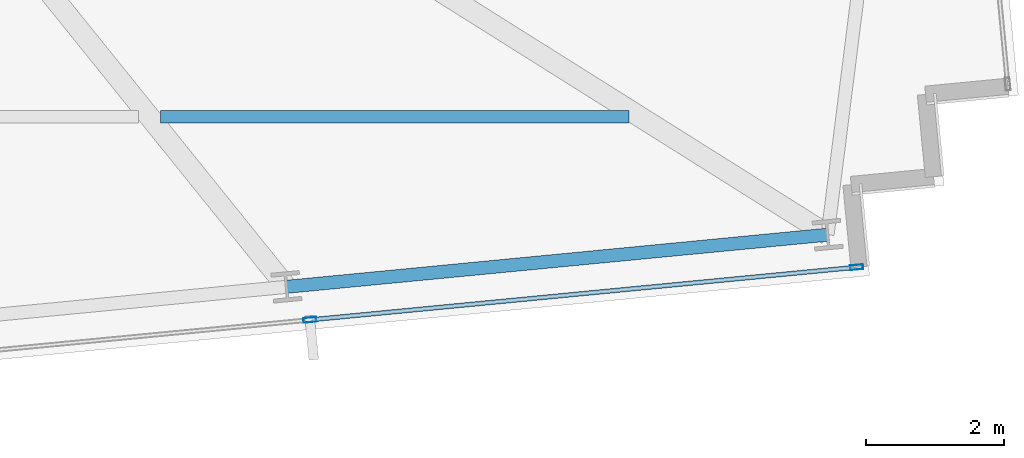
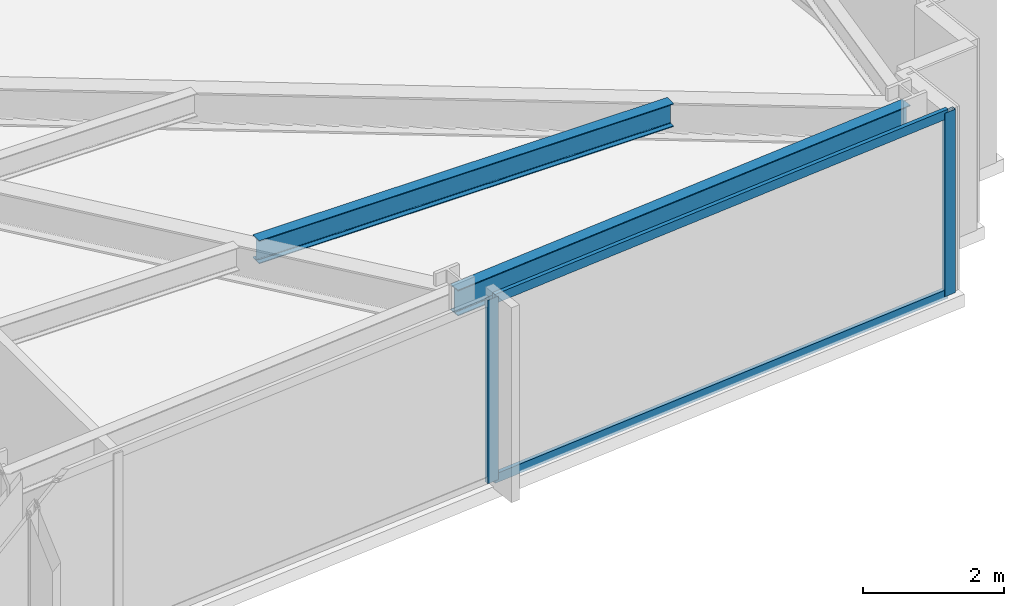
# One storey, part 12 of 32: 4 members, 2 beams, 1 element without a shape of its own.
"""IFC4 building model written with IfcOpenShell, lengths in metres."""

from ifc_helpers import new_model, si_unit, direction, frame, origin, origin_2d, place, context, subcontext, project, spatial, hollow_rectangle, i_section, extrude, material, material_profile, profile_set, type_object, element, aggregate, save


model = new_model("IFC4")

# Units and contexts
model_context = context("Model", 3, precision=1e-05, world=origin(), true_north=direction((0.0, 1.0)))
body_context = subcontext(model_context, "Body", "Model", "MODEL_VIEW")
ifc_project = project(units=[si_unit("LENGTHUNIT", "METRE"), si_unit("AREAUNIT", "SQUARE_METRE"), si_unit("VOLUMEUNIT", "CUBIC_METRE"), si_unit("PLANEANGLEUNIT", "RADIAN"), si_unit("MASSUNIT", "GRAM", prefix="KILO")], contexts=[model_context])

# Site, building, storey
site_placement = place(None, origin())
site = spatial("IfcSite", under=ifc_project, at=site_placement, CompositionType="ELEMENT")
building_placement = place(site_placement, origin())
building = spatial("IfcBuilding", under=site, at=building_placement, Name="Yelkora Congress Tower", CompositionType="ELEMENT")
storey_placement = place(building_placement, frame((0.0, 0.0, 130.5)))
storey = spatial("IfcBuildingStorey", under=building, at=storey_placement, Name="L35", CompositionType="ELEMENT", Elevation=130.5)

# Beams
ifc_material_1 = material(Name="Steel S355J2", Category="steel")
ifc_material_profile_1 = material_profile(ifc_material_1, i_section(OverallWidth=0.179931640625, OverallDepth=0.39990234375, WebThickness=0.008544921875, FlangeThickness=0.013427734375, FilletRadius=0.02099609375, at=origin_2d()), Name="IPE 400")
ifc_profile_set_1 = profile_set([ifc_material_profile_1], Name="Steel S355J2")
beam_type_1 = type_object("IfcBeamType", Name="BM-JOIST-IPE400", PredefinedType="JOIST", material=ifc_profile_set_1)
beam_1_placement = place(storey_placement, frame((65.056396484375, 16.144287109375, 2.97998046875), z_axis=(1.0, 0.0, 0.0), x_axis=(0.0, 1.0, 0.0)))
element("IfcBeam", 1, at=beam_1_placement, inside=storey, type_object=beam_type_1, Name="L35 Composite Floor Joist 10", PredefinedType="JOIST", context=body_context, shape_type="SweptSolid", body=[
    extrude(i_section(OverallWidth=0.179931640625, OverallDepth=0.39990234375, WebThickness=0.008544921875, FlangeThickness=0.013427734375, FilletRadius=0.02099609375, at=origin_2d()), origin(), (0.0, 0.0, 1.0), 6.795166015625),
])
ifc_material_profile_2 = material_profile(ifc_material_1, i_section(OverallWidth=0.18994140625, OverallDepth=0.449951171875, WebThickness=0.009521484375, FlangeThickness=0.0146484375, FilletRadius=0.02099609375, at=origin_2d()), Name="IPE 450")
ifc_profile_set_2 = profile_set([ifc_material_profile_2], Name="Steel S355J2")
beam_type_2 = type_object("IfcBeamType", Name="BM-SPAN-IPE450", PredefinedType="SPANDREL", material=ifc_profile_set_2)
beam_2_placement = place(storey_placement, frame((66.882568359375, 13.67919921875, 2.955078125), z_axis=(0.995395575667, 0.095852219286, 0.0), x_axis=(-0.095852219286, 0.995395575667, 0.0)))
element("IfcBeam", 2, at=beam_2_placement, inside=storey, type_object=beam_type_2, Name="L35 Perimeter Beam 9", PredefinedType="SPANDREL", context=body_context, shape_type="SweptSolid", body=[
    extrude(i_section(OverallWidth=0.18994140625, OverallDepth=0.449951171875, WebThickness=0.009521484375, FlangeThickness=0.0146484375, FilletRadius=0.02099609375, at=origin_2d()), origin(), (0.0, 0.0, 1.0), 7.8857421875),
])

# Curtain wall, members
ifc_material_2 = material(Name="Anodised aluminium and insulated glass", Category="aluminium")
curtain_wall_type = type_object("IfcCurtainWallType", Name="CW-SYS-B2", PredefinedType="NOTDEFINED", material=ifc_material_2)
curtain_wall_placement = place(storey_placement, origin())
curtain_wall = element("IfcCurtainWall", 3, at=curtain_wall_placement, inside=storey, type_object=curtain_wall_type, Name="L35 Unitised Curtain Wall 20", PredefinedType="NOTDEFINED")
ifc_material_3 = material(Name="Anodised aluminium 6063-T6", Category="aluminium")
ifc_material_profile_3 = material_profile(ifc_material_3, hollow_rectangle(XDim=0.070068359375, YDim=0.18994140625, WallThickness=0.00390625, at=origin_2d()), Name="ALU 70x190x4")
ifc_profile_set_3 = profile_set([ifc_material_profile_3], Name="Anodised aluminium 6063-T6")
member_type_1 = type_object("IfcMemberType", Name="MEM-ML-B2", PredefinedType="MULLION", material=ifc_profile_set_3)
member_1_placement = place(storey_placement, frame((75.154052734375, 13.96337890625, 0.0), z_axis=(0.0, 0.0, 1.0), x_axis=(0.095844345816, -0.995396333816, 0.0)))
member_1 = element("IfcMember", 4, at=member_1_placement, type_object=member_type_1, Name="CW-B2 mullion 1", PredefinedType="MULLION", context=body_context, shape_type="SweptSolid", body=[
    extrude(hollow_rectangle(XDim=0.070068359375, YDim=0.18994140625, WallThickness=0.00390625, at=origin_2d()), origin(), (0.0, 0.0, 1.0), 3.179931640625),
])
member_2_placement = place(storey_placement, frame((67.222900390625, 13.19970703125, 0.0), z_axis=(0.0, 0.0, 1.0), x_axis=(0.095844345816, -0.995396333816, 0.0)))
member_2 = element("IfcMember", 5, at=member_2_placement, type_object=member_type_1, Name="CW-B2 mullion 2", PredefinedType="MULLION", context=body_context, shape_type="SweptSolid", body=[
    extrude(hollow_rectangle(XDim=0.070068359375, YDim=0.18994140625, WallThickness=0.00390625, at=origin_2d()), origin(), (0.0, 0.0, 1.0), 3.179931640625),
])
ifc_material_profile_4 = material_profile(ifc_material_3, hollow_rectangle(XDim=0.06494140625, YDim=0.159912109375, WallThickness=0.00390625, at=origin_2d()), Name="ALU 65x160x4")
ifc_profile_set_4 = profile_set([ifc_material_profile_4], Name="Anodised aluminium 6063-T6")
member_type_2 = type_object("IfcMemberType", Name="MEM-TR-B2", PredefinedType="USERDEFINED", material=ifc_profile_set_4)
member_3_placement = place(storey_placement, frame((75.119140625, 13.9599609375, 0.032470703125), z_axis=(-0.995397978421, -0.095827264157, 0.0), x_axis=(0.095827264157, -0.995397978421, 0.0)))
member_3 = element("IfcMember", 6, at=member_3_placement, type_object=member_type_2, Name="CW-B2 transom 1.1", ObjectType="TRANSOM", PredefinedType="USERDEFINED", context=body_context, shape_type="SweptSolid", body=[
    extrude(hollow_rectangle(XDim=0.06494140625, YDim=0.159912109375, WallThickness=0.00390625, at=origin_2d()), origin(), (0.0, 0.0, 1.0), 7.89794921875),
])
member_4_placement = place(storey_placement, frame((75.119140625, 13.9599609375, 3.1474609375), z_axis=(-0.995397978421, -0.095827264157, 0.0), x_axis=(0.095827264157, -0.995397978421, 0.0)))
member_4 = element("IfcMember", 7, at=member_4_placement, type_object=member_type_2, Name="CW-B2 transom 1.2", ObjectType="TRANSOM", PredefinedType="USERDEFINED", context=body_context, shape_type="SweptSolid", body=[
    extrude(hollow_rectangle(XDim=0.06494140625, YDim=0.159912109375, WallThickness=0.00390625, at=origin_2d()), origin(), (0.0, 0.0, 1.0), 7.89794921875),
])
aggregate(curtain_wall, [member_1, member_2, member_3, member_4])

save(model, "model.ifc")
